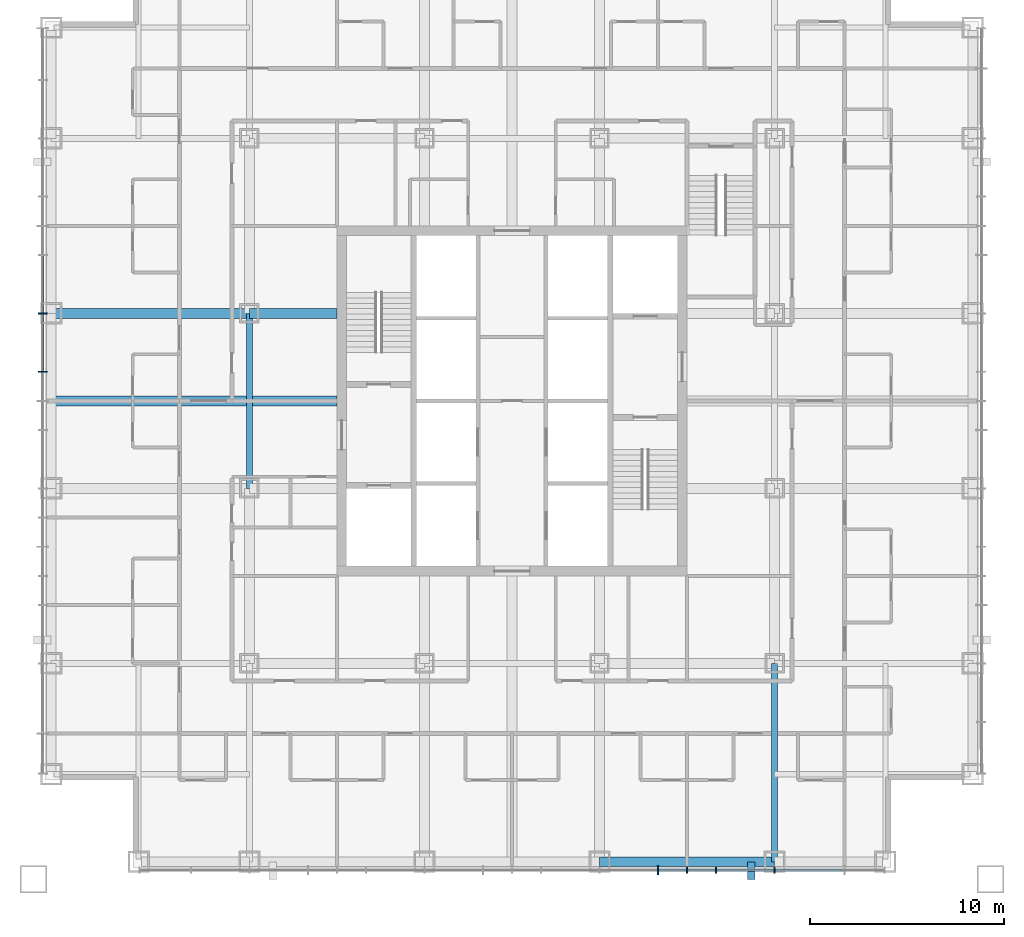
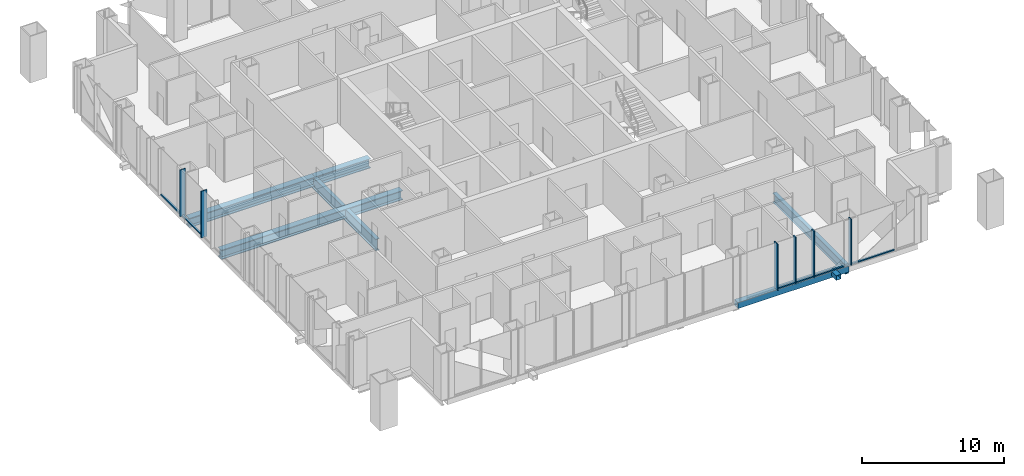
# One storey, part 3 of 14: 13 members, 6 beams, 2 elements without a shape of their own.
"""IFC4 building model written with IfcOpenShell, lengths in metres."""

from ifc_helpers import new_model, si_unit, direction, frame, origin, origin_2d, place, context, subcontext, project, spatial, rectangle, hollow_rectangle, i_section, extrude, material, layer, layer_set, material_profile, profile_set, type_object, element, aggregate, save


model = new_model("IFC4")

# Units and contexts
model_context = context("Model", 3, precision=1e-05, world=origin(), true_north=direction((0.0, 1.0)))
body_context = subcontext(model_context, "Body", "Model", "MODEL_VIEW")
ifc_project = project(units=[si_unit("LENGTHUNIT", "METRE"), si_unit("AREAUNIT", "SQUARE_METRE"), si_unit("VOLUMEUNIT", "CUBIC_METRE"), si_unit("PLANEANGLEUNIT", "RADIAN"), si_unit("MASSUNIT", "GRAM", prefix="KILO")], contexts=[model_context])

# Site, building, storey
site_placement = place(None, origin())
site = spatial("IfcSite", under=ifc_project, at=site_placement, CompositionType="ELEMENT")
building_placement = place(site_placement, origin())
building = spatial("IfcBuilding", under=site, at=building_placement, Name="Malebo Sky Hospital", CompositionType="ELEMENT")
storey_placement = place(building_placement, frame((0.0, 0.0, 164.0)))
storey = spatial("IfcBuildingStorey", under=building, at=storey_placement, Name="L39", CompositionType="ELEMENT", Elevation=164.0)

# Curtain wall, members
ifc_material_1 = material(Name="Anodised aluminium, natural silver", Category="aluminium")
ifc_layer_1 = layer(ifc_material_1, 0.25)
ifc_layer_set_1 = layer_set([ifc_layer_1], Name="WARD CURTAIN WALL EAST AND WEST")
curtain_wall_type_1 = type_object("IfcCurtainWallType", Name="WARD CURTAIN WALL EAST AND WEST", PredefinedType="NOTDEFINED", material=ifc_layer_set_1)
curtain_wall_1_placement = place(storey_placement, origin())
curtain_wall_1 = element("IfcCurtainWall", 1, at=curtain_wall_1_placement, inside=storey, type_object=curtain_wall_type_1, Name="EW curtain wall W", PredefinedType="NOTDEFINED")
ifc_material_profile_1 = material_profile(ifc_material_1, rectangle(XDim=0.14990234375, YDim=0.10009765625, at=origin_2d()), Name="ALUMINIUM TRANSOM 150x100")
ifc_profile_set_1 = profile_set([ifc_material_profile_1], Name="Anodised aluminium, natural silver")
member_type_1 = type_object("IfcMemberType", Name="ALUMINIUM TRANSOM 150x100", PredefinedType="USERDEFINED", material=ifc_profile_set_1)
member_1_placement = place(storey_placement, frame((35.864990234375, 63.53759765625, 0.050048828125), z_axis=(0.0, 1.0, 0.0), x_axis=(-1.0, 0.0, 0.0)))
member_1 = element("IfcMember", 2, at=member_1_placement, type_object=member_type_1, Name="Transom 11", ObjectType="TRANSOM", PredefinedType="USERDEFINED", context=body_context, shape_type="SweptSolid", body=[
    extrude(rectangle(XDim=0.14990234375, YDim=0.10009765625, at=origin_2d()), origin(), (0.0, 0.0, 1.0), 2.9248046875),
])
member_2_placement = place(storey_placement, frame((35.864990234375, 66.53759765625, 0.050048828125), z_axis=(0.0, 1.0, 0.0), x_axis=(-1.0, 0.0, 0.0)))
member_2 = element("IfcMember", 3, at=member_2_placement, type_object=member_type_1, Name="Transom 12", ObjectType="TRANSOM", PredefinedType="USERDEFINED", context=body_context, shape_type="SweptSolid", body=[
    extrude(rectangle(XDim=0.14990234375, YDim=0.10009765625, at=origin_2d()), origin(), (0.0, 0.0, 1.0), 2.9248046875),
])

ifc_layer_2 = layer(ifc_material_1, 0.25)
ifc_layer_set_2 = layer_set([ifc_layer_2], Name="WARD CURTAIN WALL NORTH AND SOUTH")
curtain_wall_type_2 = type_object("IfcCurtainWallType", Name="WARD CURTAIN WALL NORTH AND SOUTH", PredefinedType="NOTDEFINED", material=ifc_layer_set_2)
curtain_wall_2_placement = place(storey_placement, origin())
curtain_wall_2 = element("IfcCurtainWall", 4, at=curtain_wall_2_placement, inside=storey, type_object=curtain_wall_type_2, Name="NS curtain wall S", PredefinedType="NOTDEFINED")
member_3_placement = place(storey_placement, frame((77.0625, 37.864990234375, 0.050048828125), z_axis=(-1.0, 0.0, 0.0), x_axis=(0.0, -1.0, 0.0)))
member_3 = element("IfcMember", 5, at=member_3_placement, type_object=member_type_1, Name="Transom 2", ObjectType="TRANSOM", PredefinedType="USERDEFINED", context=body_context, shape_type="SweptSolid", body=[
    extrude(rectangle(XDim=0.14990234375, YDim=0.10009765625, at=origin_2d()), origin(), (0.0, 0.0, 1.0), 3.52490234375),
])
member_4_placement = place(storey_placement, frame((73.46240234375, 37.864990234375, 0.050048828125), z_axis=(-1.0, 0.0, 0.0), x_axis=(0.0, -1.0, 0.0)))
member_4 = element("IfcMember", 6, at=member_4_placement, type_object=member_type_1, Name="Transom 3", ObjectType="TRANSOM", PredefinedType="USERDEFINED", context=body_context, shape_type="SweptSolid", body=[
    extrude(rectangle(XDim=0.14990234375, YDim=0.10009765625, at=origin_2d()), origin(), (0.0, 0.0, 1.0), 2.9248046875),
])
member_5_placement = place(storey_placement, frame((70.46240234375, 37.864990234375, 0.050048828125), z_axis=(-1.0, 0.0, 0.0), x_axis=(0.0, -1.0, 0.0)))
member_5 = element("IfcMember", 7, at=member_5_placement, type_object=member_type_1, Name="Transom 4", ObjectType="TRANSOM", PredefinedType="USERDEFINED", context=body_context, shape_type="SweptSolid", body=[
    extrude(rectangle(XDim=0.14990234375, YDim=0.10009765625, at=origin_2d()), origin(), (0.0, 0.0, 1.0), 1.4248046875),
])
member_6_placement = place(storey_placement, frame((68.96240234375, 37.864990234375, 0.050048828125), z_axis=(-1.0, 0.0, 0.0), x_axis=(0.0, -1.0, 0.0)))
member_6 = element("IfcMember", 8, at=member_6_placement, type_object=member_type_1, Name="Transom 5", ObjectType="TRANSOM", PredefinedType="USERDEFINED", context=body_context, shape_type="SweptSolid", body=[
    extrude(rectangle(XDim=0.14990234375, YDim=0.10009765625, at=origin_2d()), origin(), (0.0, 0.0, 1.0), 1.4248046875),
])

# Member
ifc_material_2 = material(Name="Steel S355", Category="steel")
ifc_material_profile_2 = material_profile(ifc_material_2, hollow_rectangle(XDim=0.39990234375, YDim=0.39990234375, WallThickness=0.02001953125, at=origin_2d()), Name="SHS 400x20")
ifc_profile_set_2 = profile_set([ifc_material_profile_2], Name="Steel S355")
member_type_2 = type_object("IfcMemberType", Name="BRACE STRUT SHS 400x20", PredefinedType="STRUT", material=ifc_profile_set_2)
member_7_placement = place(storey_placement, frame((72.300048828125, 37.39990234375, -0.39990234375), z_axis=(0.0, 1.0, 0.0), x_axis=(-1.0, 0.0, 0.0)))
element("IfcMember", 9, at=member_7_placement, inside=storey, type_object=member_type_2, Name="Brace strut BS1 L39", PredefinedType="STRUT", context=body_context, shape_type="SweptSolid", body=[
    extrude(hollow_rectangle(XDim=0.39990234375, YDim=0.39990234375, WallThickness=0.02001953125, at=origin_2d()), origin(), (0.0, 0.0, 1.0), 0.900146484375),
])

ifc_material_profile_3 = material_profile(ifc_material_1, rectangle(XDim=0.074951171875, YDim=0.300048828125, at=origin_2d()), Name="CW1 ALUMINIUM FIN MULLION 75x300")
ifc_profile_set_3 = profile_set([ifc_material_profile_3], Name="Anodised aluminium, natural silver")
member_type_3 = type_object("IfcMemberType", Name="CW1 ALUMINIUM FIN MULLION 75x300", PredefinedType="MULLION", material=ifc_profile_set_3)
member_8_placement = place(storey_placement, frame((73.5, 37.864990234375, 0.0), z_axis=(0.0, 0.0, 1.0), x_axis=(-1.0, 0.0, 0.0)))
member_8 = element("IfcMember", 10, at=member_8_placement, type_object=member_type_3, Name="Fin mullion 3", PredefinedType="MULLION", context=body_context, shape_type="SweptSolid", body=[
    extrude(rectangle(XDim=0.074951171875, YDim=0.300048828125, at=origin_2d()), origin(), (0.0, 0.0, 1.0), 4.0),
])

member_9_placement = place(storey_placement, frame((70.5, 37.864990234375, 0.0), z_axis=(0.0, 0.0, 1.0), x_axis=(-1.0, 0.0, 0.0)))
member_9 = element("IfcMember", 11, at=member_9_placement, type_object=member_type_3, Name="Fin mullion 4", PredefinedType="MULLION", context=body_context, shape_type="SweptSolid", body=[
    extrude(rectangle(XDim=0.074951171875, YDim=0.300048828125, at=origin_2d()), origin(), (0.0, 0.0, 1.0), 4.0),
])

member_10_placement = place(storey_placement, frame((69.0, 37.864990234375, 0.0), z_axis=(0.0, 0.0, 1.0), x_axis=(-1.0, 0.0, 0.0)))
member_10 = element("IfcMember", 12, at=member_10_placement, type_object=member_type_3, Name="Fin mullion 5", PredefinedType="MULLION", context=body_context, shape_type="SweptSolid", body=[
    extrude(rectangle(XDim=0.074951171875, YDim=0.300048828125, at=origin_2d()), origin(), (0.0, 0.0, 1.0), 4.0),
])

ifc_material_profile_4 = material_profile(ifc_material_1, rectangle(XDim=0.074951171875, YDim=0.449951171875, at=origin_2d()), Name="CW1 ALUMINIUM FIN MULLION 75x450")
ifc_profile_set_4 = profile_set([ifc_material_profile_4], Name="Anodised aluminium, natural silver")
member_type_4 = type_object("IfcMemberType", Name="CW1 ALUMINIUM FIN MULLION 75x450", PredefinedType="MULLION", material=ifc_profile_set_4)
member_11_placement = place(storey_placement, frame((67.5, 37.864990234375, 0.0), z_axis=(0.0, 0.0, 1.0), x_axis=(-1.0, 0.0, 0.0)))
member_11 = element("IfcMember", 13, at=member_11_placement, type_object=member_type_4, Name="Fin mullion 6", PredefinedType="MULLION", context=body_context, shape_type="SweptSolid", body=[
    extrude(rectangle(XDim=0.074951171875, YDim=0.449951171875, at=origin_2d()), origin(), (0.0, 0.0, 1.0), 4.0),
])

aggregate(curtain_wall_2, [member_8, member_9, member_10, member_11, member_3, member_4, member_5, member_6])

ifc_material_profile_5 = material_profile(ifc_material_1, rectangle(XDim=0.074951171875, YDim=0.449951171875, at=origin_2d()), Name="CW2 ALUMINIUM FIN MULLION 75x450")
ifc_profile_set_5 = profile_set([ifc_material_profile_5], Name="Anodised aluminium, natural silver")
member_type_5 = type_object("IfcMemberType", Name="CW2 ALUMINIUM FIN MULLION 75x450", PredefinedType="MULLION", material=ifc_profile_set_5)
member_12_placement = place(storey_placement, frame((35.864990234375, 63.5, 0.0), z_axis=(0.0, 0.0, 1.0), x_axis=(0.0, 1.0, 0.0)))
member_12 = element("IfcMember", 14, at=member_12_placement, type_object=member_type_5, Name="Fin mullion 11", PredefinedType="MULLION", context=body_context, shape_type="SweptSolid", body=[
    extrude(rectangle(XDim=0.074951171875, YDim=0.449951171875, at=origin_2d()), origin(), (0.0, 0.0, 1.0), 4.0),
])

member_13_placement = place(storey_placement, frame((35.864990234375, 66.5, 0.0), z_axis=(0.0, 0.0, 1.0), x_axis=(0.0, 1.0, 0.0)))
member_13 = element("IfcMember", 15, at=member_13_placement, type_object=member_type_5, Name="Fin mullion 12", PredefinedType="MULLION", context=body_context, shape_type="SweptSolid", body=[
    extrude(rectangle(XDim=0.074951171875, YDim=0.449951171875, at=origin_2d()), origin(), (0.0, 0.0, 1.0), 4.0),
])

aggregate(curtain_wall_1, [member_12, member_13, member_1, member_2])

# Beams
ifc_material_3 = material(Name="Steel S460", Category="steel")
ifc_material_profile_6 = material_profile(ifc_material_3, hollow_rectangle(XDim=0.5, YDim=0.5, WallThickness=0.030029296875, at=origin_2d()), Name="BOX 500x500x30")
ifc_profile_set_6 = profile_set([ifc_material_profile_6], Name="Steel S460")
beam_type_1 = type_object("IfcBeamType", Name="EDGE BEAM BOX 500x500x30", PredefinedType="BEAM", material=ifc_profile_set_6)
beam_1_placement = place(storey_placement, frame((64.5, 38.300048828125, -0.5), z_axis=(1.0, 0.0, 0.0), x_axis=(0.0, 1.0, 0.0)))
element("IfcBeam", 16, at=beam_1_placement, inside=storey, type_object=beam_type_1, Name="Beam 037 L39", PredefinedType="BEAM", context=body_context, shape_type="SweptSolid", body=[
    extrude(hollow_rectangle(XDim=0.5, YDim=0.5, WallThickness=0.030029296875, at=origin_2d()), origin(), (0.0, 0.0, 1.0), 9.0),
])
ifc_material_profile_7 = material_profile(ifc_material_2, i_section(OverallWidth=0.5, OverallDepth=0.800048828125, WebThickness=0.030029296875, FlangeThickness=0.050048828125, at=origin_2d()), Name="PG 800x500x30x50")
ifc_profile_set_7 = profile_set([ifc_material_profile_7], Name="Steel S355")
beam_type_2 = type_object("IfcBeamType", Name="FLOOR BEAM PG 800x500x30x50", PredefinedType="BEAM", material=ifc_profile_set_7)
beam_2_placement = place(storey_placement, frame((36.300048828125, 62.0, -0.64990234375), z_axis=(1.0, 0.0, 0.0), x_axis=(0.0, 1.0, 0.0)))
element("IfcBeam", 17, at=beam_2_placement, inside=storey, type_object=beam_type_2, Name="Beam 050 L39", PredefinedType="BEAM", context=body_context, shape_type="SweptSolid", body=[
    extrude(i_section(OverallWidth=0.5, OverallDepth=0.800048828125, WebThickness=0.030029296875, FlangeThickness=0.050048828125, at=origin_2d()), origin(), (0.0, 0.0, 1.0), 14.699951171875),
])
beam_3_placement = place(storey_placement, frame((36.300048828125, 66.5, -0.64990234375), z_axis=(1.0, 0.0, 0.0), x_axis=(0.0, 1.0, 0.0)))
element("IfcBeam", 18, at=beam_3_placement, inside=storey, type_object=beam_type_2, Name="Beam 052 L39", PredefinedType="BEAM", context=body_context, shape_type="SweptSolid", body=[
    extrude(i_section(OverallWidth=0.5, OverallDepth=0.800048828125, WebThickness=0.030029296875, FlangeThickness=0.050048828125, at=origin_2d()), origin(), (0.0, 0.0, 1.0), 10.199951171875),
])
beam_4_placement = place(storey_placement, frame((46.5, 66.5, -0.64990234375), z_axis=(1.0, 0.0, 0.0), x_axis=(0.0, 1.0, 0.0)))
element("IfcBeam", 19, at=beam_4_placement, inside=storey, type_object=beam_type_2, Name="Beam 053 L39", PredefinedType="BEAM", context=body_context, shape_type="SweptSolid", body=[
    extrude(i_section(OverallWidth=0.5, OverallDepth=0.800048828125, WebThickness=0.030029296875, FlangeThickness=0.050048828125, at=origin_2d()), origin(), (0.0, 0.0, 1.0), 4.5),
])
ifc_material_profile_8 = material_profile(ifc_material_2, i_section(OverallWidth=0.300048828125, OverallDepth=0.800048828125, WebThickness=0.017578125, FlangeThickness=0.032958984375, FilletRadius=0.030029296875, at=origin_2d()), Name="HEB 800")
ifc_profile_set_8 = profile_set([ifc_material_profile_8], Name="Steel S355")
beam_type_3 = type_object("IfcBeamType", Name="FLOOR GIRDER HEB 800", PredefinedType="BEAM", material=ifc_profile_set_8)
beam_5_placement = place(storey_placement, frame((73.5, 38.300048828125, -0.64990234375), z_axis=(0.0, 1.0, 0.0), x_axis=(-1.0, 0.0, 0.0)))
element("IfcBeam", 20, at=beam_5_placement, inside=storey, type_object=beam_type_3, Name="Beam 022 L39", PredefinedType="BEAM", context=body_context, shape_type="SweptSolid", body=[
    extrude(i_section(OverallWidth=0.300048828125, OverallDepth=0.800048828125, WebThickness=0.017578125, FlangeThickness=0.032958984375, FilletRadius=0.030029296875, at=origin_2d()), origin(), (0.0, 0.0, 1.0), 10.199951171875),
])
ifc_material_profile_9 = material_profile(ifc_material_2, i_section(OverallWidth=0.300048828125, OverallDepth=1.0, WebThickness=0.01904296875, FlangeThickness=0.035888671875, FilletRadius=0.030029296875, at=origin_2d()), Name="HEB 1000")
ifc_profile_set_9 = profile_set([ifc_material_profile_9], Name="Steel S355")
beam_type_4 = type_object("IfcBeamType", Name="RING GIRDER HEB 1000", PredefinedType="BEAM", material=ifc_profile_set_9)
beam_6_placement = place(storey_placement, frame((46.5, 57.5, -0.75), z_axis=(0.0, 1.0, 0.0), x_axis=(-1.0, 0.0, 0.0)))
element("IfcBeam", 21, at=beam_6_placement, inside=storey, type_object=beam_type_4, Name="Beam 009 L39", PredefinedType="BEAM", context=body_context, shape_type="SweptSolid", body=[
    extrude(i_section(OverallWidth=0.300048828125, OverallDepth=1.0, WebThickness=0.01904296875, FlangeThickness=0.035888671875, FilletRadius=0.030029296875, at=origin_2d()), origin(), (0.0, 0.0, 1.0), 9.0),
])

save(model, "model.ifc")
